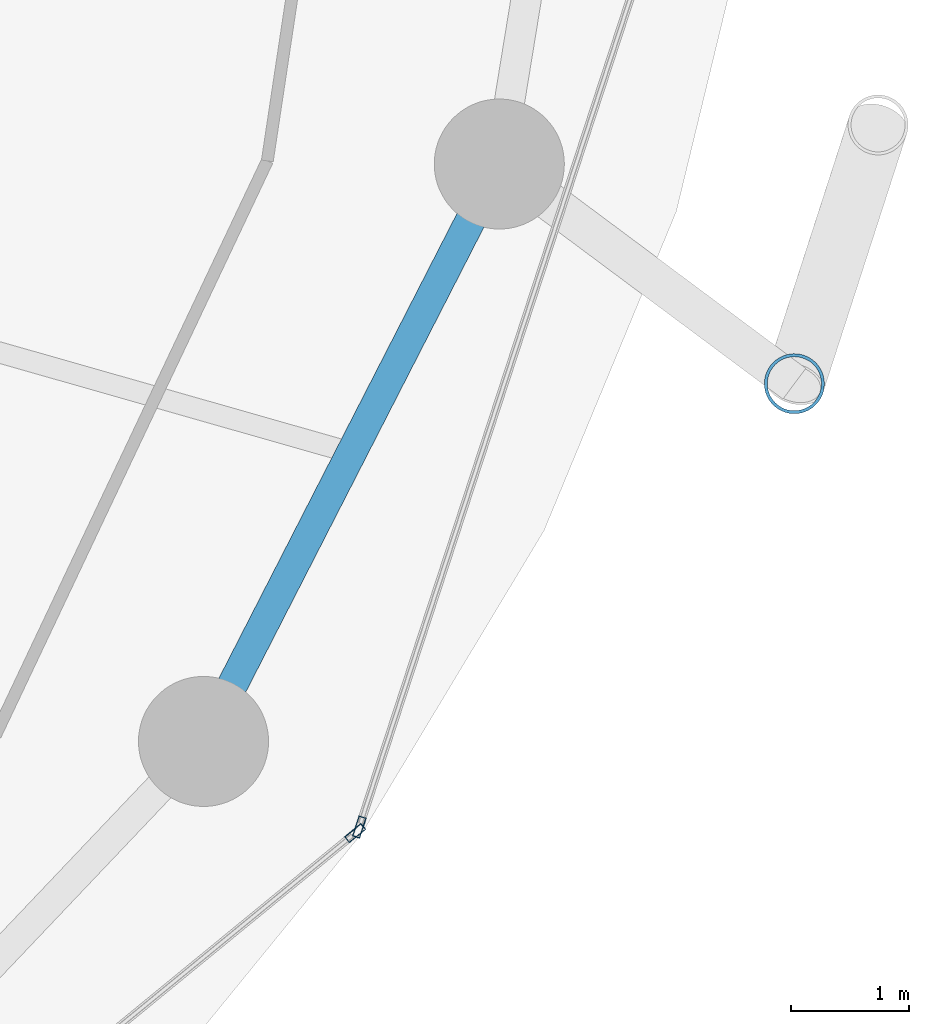
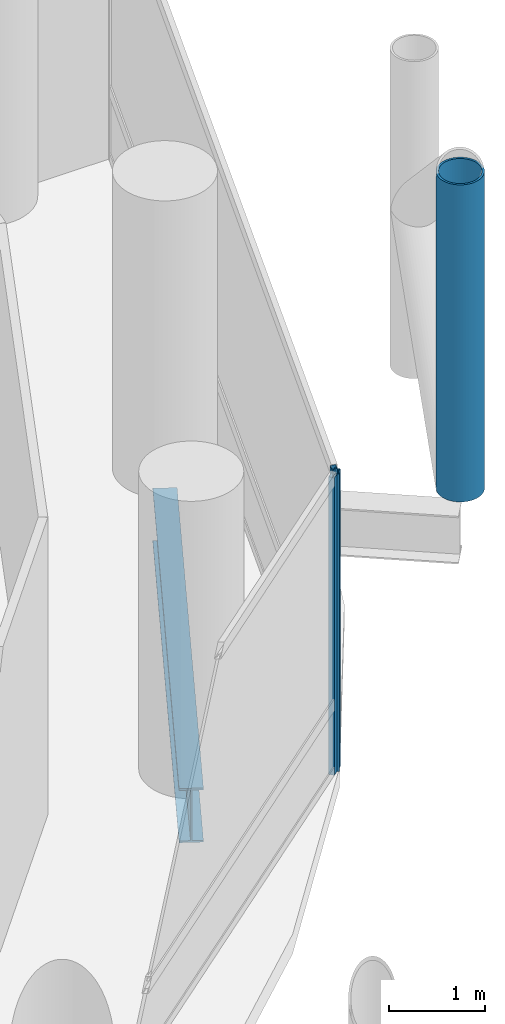
# One storey, part 10 of 26: 3 members, 1 beam, 2 elements without a shape of their own.
"""IFC4 building model written with IfcOpenShell, lengths in metres."""

from ifc_helpers import new_model, si_unit, direction, frame, origin, origin_2d, place, context, subcontext, project, spatial, hollow_rectangle, hollow_circle, i_section, extrude, material, layer, layer_set, material_profile, profile_set, type_object, element, aggregate, save


model = new_model("IFC4")

# Units and contexts
model_context = context("Model", 3, precision=1e-05, world=origin(), true_north=direction((0.0, 1.0)))
body_context = subcontext(model_context, "Body", "Model", "MODEL_VIEW")
ifc_project = project(units=[si_unit("LENGTHUNIT", "METRE"), si_unit("AREAUNIT", "SQUARE_METRE"), si_unit("VOLUMEUNIT", "CUBIC_METRE"), si_unit("PLANEANGLEUNIT", "RADIAN"), si_unit("MASSUNIT", "GRAM", prefix="KILO")], contexts=[model_context])

# Site, building, storey
site_placement = place(None, origin())
site = spatial("IfcSite", under=ifc_project, at=site_placement, CompositionType="ELEMENT")
building_placement = place(site_placement, origin())
building = spatial("IfcBuilding", under=site, at=building_placement, Name="Nuhasar Tower", CompositionType="ELEMENT")
storey_placement = place(building_placement, frame((0.0, 0.0, 93.89990234375)))
storey = spatial("IfcBuildingStorey", under=building, at=storey_placement, Name="L22", CompositionType="ELEMENT", Elevation=93.89990234375)

# Beam
ifc_material_1 = material(Name="Steel S355", Category="steel")
ifc_material_profile_1 = material_profile(ifc_material_1, i_section(OverallWidth=0.256103515625, OverallDepth=0.693115234375, WebThickness=0.014404296875, FlangeThickness=0.023681640625, at=origin_2d()), Name="W27X114")
ifc_profile_set_1 = profile_set([ifc_material_profile_1], Name="Steel S355")
beam_type = type_object("IfcBeamType", Name="BM-RING-W27X114", PredefinedType="SPANDREL", material=ifc_profile_set_1)
beam_placement = place(storey_placement, frame((60.694091796875, 16.675048828125, -0.596923828125), z_axis=(0.455930023905, 0.890015625314, 0.0), x_axis=(-0.890015625314, 0.455930023905, 0.0)))
element("IfcBeam", 1, at=beam_placement, inside=storey, type_object=beam_type, Name="L22 Perimeter Ring Spandrel 23", PredefinedType="SPANDREL", context=body_context, shape_type="SweptSolid", body=[
    extrude(i_section(OverallWidth=0.256103515625, OverallDepth=0.693115234375, WebThickness=0.014404296875, FlangeThickness=0.023681640625, at=origin_2d()), origin(), (0.0, 0.0, 1.0), 5.487548828125),
])

# Curtain wall, member
ifc_material_2 = material(Name="Aluminium 6063-T6", Category="aluminium")
ifc_layer = layer(ifc_material_2, 0.199951171875)
ifc_layer_set = layer_set([ifc_layer], Name="Aluminium 6063-T6")
curtain_wall_type = type_object("IfcCurtainWallType", Name="CW-Z1-OFF", PredefinedType="NOTDEFINED", material=ifc_layer_set)
curtain_wall_1_placement = place(storey_placement, origin())
curtain_wall_1 = element("IfcCurtainWall", 2, at=curtain_wall_1_placement, inside=storey, type_object=curtain_wall_type, Name="L22 Unitised Curtain Wall 11", PredefinedType="NOTDEFINED")
ifc_material_profile_2 = material_profile(ifc_material_2, hollow_rectangle(XDim=0.06494140625, YDim=0.179931640625, WallThickness=0.0048828125, at=origin_2d()), Name="CWM-2")
ifc_profile_set_2 = profile_set([ifc_material_profile_2], Name="Aluminium 6063-T6")
member_type_1 = type_object("IfcMemberType", Name="CW-MUL-S2", PredefinedType="MULLION", material=ifc_profile_set_2)
member_1_placement = place(storey_placement, frame((61.976806640625, 15.8994140625, 0.0), z_axis=(0.0, 0.0, 1.0), x_axis=(-0.633744593376, 0.773542364946, 0.0)))
member_1 = element("IfcMember", 3, at=member_1_placement, type_object=member_type_1, Name="CW-Z1 mullion 2", PredefinedType="MULLION", context=body_context, shape_type="SweptSolid", body=[
    extrude(hollow_rectangle(XDim=0.06494140625, YDim=0.179931640625, WallThickness=0.0048828125, at=origin_2d()), origin(), (0.0, 0.0, 1.0), 3.800048828125),
])
aggregate(curtain_wall_1, [member_1])

curtain_wall_2_placement = place(storey_placement, origin())
curtain_wall_2 = element("IfcCurtainWall", 4, at=curtain_wall_2_placement, inside=storey, type_object=curtain_wall_type, Name="L22 Unitised Curtain Wall 12", PredefinedType="NOTDEFINED")
member_2_placement = place(storey_placement, frame((62.01220703125, 15.950927734375, 0.0), z_axis=(0.0, 0.0, 1.0), x_axis=(-0.950467534571, 0.310823849997, 0.0)))
member_2 = element("IfcMember", 5, at=member_2_placement, type_object=member_type_1, Name="CW-Z1 mullion 1", PredefinedType="MULLION", context=body_context, shape_type="SweptSolid", body=[
    extrude(hollow_rectangle(XDim=0.06494140625, YDim=0.179931640625, WallThickness=0.0048828125, at=origin_2d()), origin(), (0.0, 0.0, 1.0), 3.800048828125),
])
aggregate(curtain_wall_2, [member_2])

# Member
ifc_material_3 = material(Name="Steel S460", Category="steel")
ifc_material_profile_3 = material_profile(ifc_material_3, hollow_circle(Radius=0.25390625, WallThickness=0.025390625, at=origin_2d()), Name="HSS508X25.4")
ifc_profile_set_3 = profile_set([ifc_material_profile_3], Name="Steel S460")
member_type_2 = type_object("IfcMemberType", Name="EXO-BRONZE-508", PredefinedType="BRACE", material=ifc_profile_set_3)
member_3_placement = place(storey_placement, frame((65.69189453125, 19.700927734375, 0.0), z_axis=(0.0, 0.0, 1.0), x_axis=(1.0, 0.0, 0.0)))
element("IfcMember", 6, at=member_3_placement, inside=storey, type_object=member_type_2, Name="L22 Exoskeleton Chord Column EC-12A", PredefinedType="BRACE", context=body_context, shape_type="SweptSolid", body=[
    extrude(hollow_circle(Radius=0.25390625, WallThickness=0.025390625, at=origin_2d()), origin(), (0.0, 0.0, 1.0), 4.050048828125),
])

save(model, "model.ifc")
